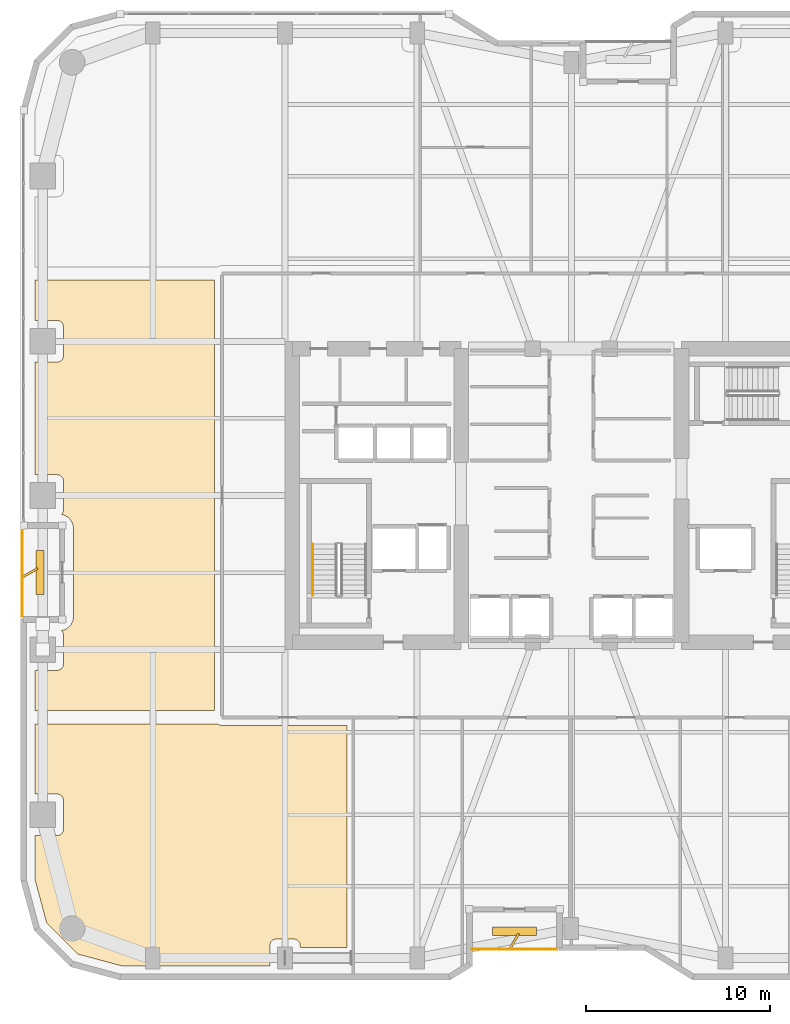
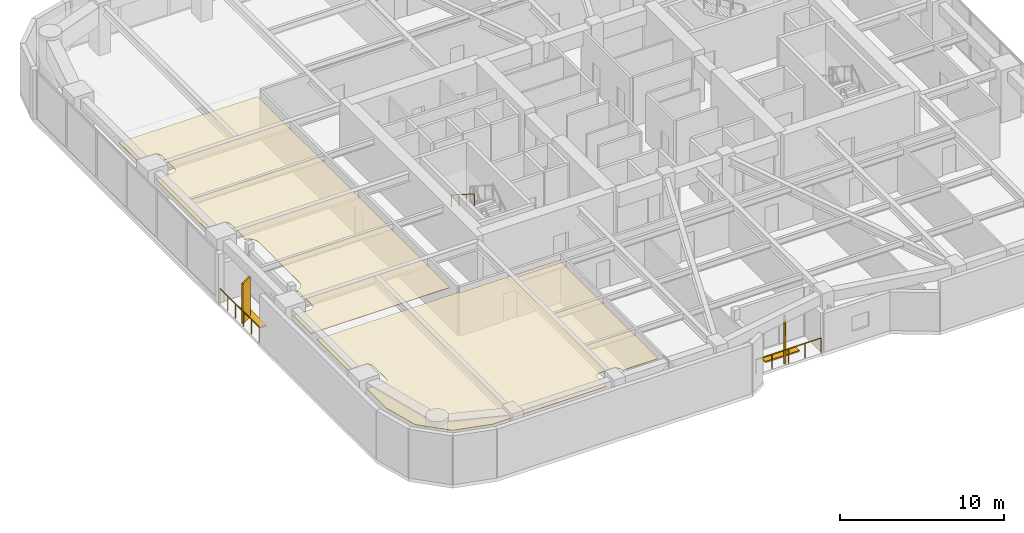
# One storey, part 22 of 24: 4 shading devices, 3 railings, 2 coverings.
"""IFC4 building model written with IfcOpenShell, lengths in metres."""

from ifc_helpers import new_model, si_unit, direction, frame, origin, origin_2d, place, context, subcontext, project, spatial, polyline, rectangle, outline, extrude, material, layer, layer_set, type_object, element, save


model = new_model("IFC4")

# Units and contexts
model_context = context("Model", 3, precision=1e-05, world=origin(), true_north=direction((0.0, 1.0)))
body_context = subcontext(model_context, "Body", "Model", "MODEL_VIEW")
ifc_project = project(units=[si_unit("LENGTHUNIT", "METRE"), si_unit("AREAUNIT", "SQUARE_METRE"), si_unit("VOLUMEUNIT", "CUBIC_METRE"), si_unit("PLANEANGLEUNIT", "RADIAN"), si_unit("MASSUNIT", "GRAM", prefix="KILO")], contexts=[model_context])

# Site, building, storey
site_placement = place(None, origin())
site = spatial("IfcSite", under=ifc_project, at=site_placement, CompositionType="ELEMENT")
building_placement = place(site_placement, origin())
building = spatial("IfcBuilding", under=site, at=building_placement, Name="Kiyonajd Concourse Tower", CompositionType="ELEMENT")
storey_placement = place(building_placement, frame((0.0, 0.0, 97.5)))
storey = spatial("IfcBuildingStorey", under=building, at=storey_placement, Name="L25", CompositionType="ELEMENT", Elevation=97.5)

# Coverings
ifc_material_1 = material(Name="Natural Oak Acoustic Timber Veneer", Category="wood")
ifc_layer = layer(ifc_material_1, 0.0400390625)
ifc_layer_set = layer_set([ifc_layer], Name="Natural Oak Acoustic Timber Veneer")
covering_type = type_object("IfcCoveringType", Name="CV-CLG-ACST", PredefinedType="CEILING", material=ifc_layer_set)
covering_1_placement = place(storey_placement, frame((0.0, 0.0, 3.4599609375)))
element("IfcCovering", 1, at=covering_1_placement, inside=storey, type_object=covering_type, Name="L25-43 Room Acoustic Ceiling", PredefinedType="CEILING", context=body_context, shape_type="SweptSolid", body=[
    extrude(outline(polyline([(19.4140625, 12.697998046875), (18.77001953125, 15.10107421875), (18.77001953125, 17.469970703125), (20.013916015625, 17.471923828125), (20.08203125, 17.485107421875), (20.14501953125, 17.510986328125), (20.201904296875, 17.549072265625), (20.2509765625, 17.597900390625), (20.2890625, 17.655029296875), (20.31494140625, 17.718017578125), (20.330078125, 17.820068359375), (20.327880859375, 19.4140625), (20.31494140625, 19.48193359375), (20.2890625, 19.544921875), (20.22705078125, 19.626953125), (20.14501953125, 19.68896484375), (20.048095703125, 19.722900390625), (19.97998046875, 19.72998046875), (18.77001953125, 19.72998046875), (18.77001953125, 23.550048828125), (28.72705078125, 23.550048828125), (28.781982421875, 23.51611328125), (28.844970703125, 23.489990234375), (28.97509765625, 23.469970703125), (35.77001953125, 23.469970703125), (35.77001953125, 11.3701171875), (33.22998046875, 11.3701171875), (33.222900390625, 11.548095703125), (33.18896484375, 11.64501953125), (33.15087890625, 11.701904296875), (33.10205078125, 11.7509765625), (33.044921875, 11.7890625), (32.98193359375, 11.81494140625), (32.8798828125, 11.830078125), (31.885986328125, 11.827880859375), (31.785888671875, 11.802978515625), (31.697998046875, 11.7509765625), (31.64892578125, 11.701904296875), (31.611083984375, 11.64501953125), (31.576904296875, 11.548095703125), (31.570068359375, 11.47998046875), (31.570068359375, 10.3701171875), (23.5009765625, 10.3701171875), (21.097900390625, 11.013916015625), (19.4140625, 12.697998046875)])), origin(), (0.0, 0.0, 1.0), 0.0400390625),
])
covering_2_placement = place(storey_placement, frame((0.0, 0.0, 3.4599609375)))
element("IfcCovering", 2, at=covering_2_placement, inside=storey, type_object=covering_type, Name="L25-55 Room Acoustic Ceiling", PredefinedType="CEILING", context=body_context, shape_type="SweptSolid", body=[
    extrude(outline(polyline([(20.215087890625, 28.638916015625), (20.340087890625, 28.6689453125), (20.450927734375, 28.715087890625), (20.580078125, 28.798095703125), (20.656982421875, 28.867919921875), (20.73193359375, 28.9609375), (20.80810546875, 29.095947265625), (20.842041015625, 29.193115234375), (20.864013671875, 29.30810546875), (20.8701171875, 34.199951171875), (20.860107421875, 34.31591796875), (20.8310546875, 34.43994140625), (20.7958984375, 34.528076171875), (20.73193359375, 34.638916015625), (20.632080078125, 34.757080078125), (20.5390625, 34.83203125), (20.404052734375, 34.907958984375), (20.306884765625, 34.94189453125), (20.215087890625, 34.9609375), (20.27099609375, 35.02587890625), (20.302978515625, 35.0859375), (20.322998046875, 35.152099609375), (20.330078125, 35.219970703125), (20.330078125, 36.780029296875), (20.31494140625, 36.882080078125), (20.2890625, 36.945068359375), (20.2509765625, 37.001953125), (20.201904296875, 37.051025390625), (20.14501953125, 37.089111328125), (20.08203125, 37.114990234375), (20.013916015625, 37.1279296875), (18.77001953125, 37.1298828125), (18.77001953125, 43.27001953125), (20.013916015625, 43.27197265625), (20.08203125, 43.284912109375), (20.14501953125, 43.31103515625), (20.201904296875, 43.34912109375), (20.2509765625, 43.39794921875), (20.2890625, 43.455078125), (20.31494140625, 43.51806640625), (20.330078125, 43.6201171875), (20.327880859375, 45.214111328125), (20.302978515625, 45.31396484375), (20.2509765625, 45.402099609375), (20.201904296875, 45.450927734375), (20.14501953125, 45.489013671875), (20.048095703125, 45.52294921875), (19.97998046875, 45.530029296875), (18.77001953125, 45.530029296875), (18.77001953125, 47.72998046875), (28.544921875, 47.72998046875), (28.544921875, 24.27001953125), (18.77001953125, 24.27001953125), (18.77001953125, 26.469970703125), (19.97998046875, 26.469970703125), (20.048095703125, 26.47705078125), (20.14501953125, 26.510986328125), (20.201904296875, 26.549072265625), (20.27099609375, 26.6259765625), (20.31494140625, 26.718017578125), (20.330078125, 26.820068359375), (20.327880859375, 28.4140625), (20.31494140625, 28.48193359375), (20.2890625, 28.544921875), (20.2509765625, 28.60205078125), (20.215087890625, 28.638916015625)])), origin(), (0.0, 0.0, 1.0), 0.0400390625),
])

# Railings
ifc_material_2 = material(Name="Thermally Broken Anodised Aluminium", Category="aluminium")
railing_type_1 = type_object("IfcRailingType", Name="RL-GRD-LOG", PredefinedType="GUARDRAIL", material=ifc_material_2)
railing_1_placement = place(storey_placement, frame((42.60009765625, 11.280029296875, 0.0)))
element("IfcRailing", 3, at=railing_1_placement, inside=storey, type_object=railing_type_1, Name="L25 Engawa Loggia Perimeter Guard LOG-S", PredefinedType="GUARDRAIL", context=body_context, shape_type="SweptSolid", body=[
    extrude(rectangle(XDim=0.048095703125, YDim=0.048095703125, at=origin_2d()), frame((0.0, 0.0, 1.076171875), z_axis=(1.0, 0.0, 0.0), x_axis=(0.0, 1.0, 0.0)), (0.0, 0.0, 1.0), 4.599853515625),
    extrude(rectangle(XDim=0.0419921875, YDim=0.0419921875, at=origin_2d()), origin(), (0.0, 0.0, 1.0), 1.052001953125),
    extrude(rectangle(XDim=0.0419921875, YDim=0.0419921875, at=origin_2d()), frame((1.14990234375, 0.0, 0.0)), (0.0, 0.0, 1.0), 1.052001953125),
    extrude(rectangle(XDim=0.0419921875, YDim=0.0419921875, at=origin_2d()), frame((2.2998046875, 0.0, 0.0)), (0.0, 0.0, 1.0), 1.052001953125),
    extrude(rectangle(XDim=0.0419921875, YDim=0.0419921875, at=origin_2d()), frame((3.449951171875, 0.0, 0.0)), (0.0, 0.0, 1.0), 1.052001953125),
    extrude(rectangle(XDim=0.0419921875, YDim=0.0419921875, at=origin_2d()), frame((4.599853515625, 0.0, 0.0)), (0.0, 0.0, 1.0), 1.052001953125),
])
railing_2_placement = place(storey_placement, frame((18.080078125, 34.199951171875, 0.0)))
element("IfcRailing", 4, at=railing_2_placement, inside=storey, type_object=railing_type_1, Name="L25 Engawa Loggia Perimeter Guard LOG-W", PredefinedType="GUARDRAIL", context=body_context, shape_type="SweptSolid", body=[
    extrude(rectangle(XDim=0.048095703125, YDim=0.048095703125, at=origin_2d()), frame((0.0, 0.0, 1.076171875), z_axis=(0.0, -1.0, 0.0), x_axis=(1.0, 0.0, 0.0)), (0.0, 0.0, 1.0), 4.800048828125),
    extrude(rectangle(XDim=0.0419921875, YDim=0.0419921875, at=origin_2d()), origin(), (0.0, 0.0, 1.0), 1.052001953125),
    extrude(rectangle(XDim=0.0419921875, YDim=0.0419921875, at=origin_2d()), frame((0.0, -0.9599609375, 0.0)), (0.0, 0.0, 1.0), 1.052001953125),
    extrude(rectangle(XDim=0.0419921875, YDim=0.0419921875, at=origin_2d()), frame((0.0, -1.919921875, 0.0)), (0.0, 0.0, 1.0), 1.052001953125),
    extrude(rectangle(XDim=0.0419921875, YDim=0.0419921875, at=origin_2d()), frame((0.0, -2.880126953125, 0.0)), (0.0, 0.0, 1.0), 1.052001953125),
    extrude(rectangle(XDim=0.0419921875, YDim=0.0419921875, at=origin_2d()), frame((0.0, -3.840087890625, 0.0)), (0.0, 0.0, 1.0), 1.052001953125),
    extrude(rectangle(XDim=0.0419921875, YDim=0.0419921875, at=origin_2d()), frame((0.0, -4.800048828125, 0.0)), (0.0, 0.0, 1.0), 1.052001953125),
])
ifc_material_3 = material(Name="Brushed Stainless Steel Cab Assembly", Category="steel")
railing_type_2 = type_object("IfcRailingType", Name="RL-HND-900", PredefinedType="HANDRAIL", material=ifc_material_3)
railing_3_placement = place(storey_placement, frame((33.89990234375, 33.35009765625, 2.127197265625)))
element("IfcRailing", 5, at=railing_3_placement, inside=storey, type_object=railing_type_2, Name="L25 ST1 stair handrail 2", PredefinedType="HANDRAIL", context=body_context, shape_type="SweptSolid", body=[
    extrude(rectangle(XDim=0.048095703125, YDim=0.048095703125, at=origin_2d()), frame((0.0, 0.0, 0.8759765625), z_axis=(0.0, -0.844908973607, 0.534910110503), x_axis=(1.0, 0.0, 0.0)), (0.0, 0.0, 1.0), 3.31396484375),
    extrude(rectangle(XDim=0.0419921875, YDim=0.0419921875, at=origin_2d()), origin(), (0.0, 0.0, 1.0), 0.851806640625),
    extrude(rectangle(XDim=0.0419921875, YDim=0.0419921875, at=origin_2d()), frame((0.0, -0.933349609375, 0.5908203125)), (0.0, 0.0, 1.0), 0.851806640625),
    extrude(rectangle(XDim=0.0419921875, YDim=0.0419921875, at=origin_2d()), frame((0.0, -1.86669921875, 1.181884765625)), (0.0, 0.0, 1.0), 0.851806640625),
    extrude(rectangle(XDim=0.0419921875, YDim=0.0419921875, at=origin_2d()), frame((0.0, -2.800048828125, 1.772705078125)), (0.0, 0.0, 1.0), 0.851806640625),
])

# Shading devices
ifc_material_4 = material(Name="Precast concrete C50/60", Category="concrete")
shading_device_type_1 = type_object("IfcShadingDeviceType", Name="SH-FIN-900", PredefinedType="USERDEFINED", material=ifc_material_4)
for number, where, z_axis, x_axis, name in (
    (6, (44.89990234375, 11.72998046875, 0.0), (0.0, 0.0, 1.0), (0.5, 0.866025403784, 0.0), "L25 Angled Koshi Solar Fin LOG-S"),
    (7, (18.530029296875, 31.800048828125, 0.0), (0.0, 0.0, 1.0), (0.866025403784, 0.5, 0.0), "L25 Angled Koshi Solar Fin LOG-W"),
):
    element("IfcShadingDevice", number, at=place(storey_placement, frame(where, z_axis=z_axis, x_axis=x_axis)), inside=storey, type_object=shading_device_type_1, Name=name, ObjectType="FIN", PredefinedType="USERDEFINED", context=body_context, shape_type="SweptSolid", body=[
        extrude(rectangle(XDim=0.89990234375, YDim=0.1201171875, at=origin_2d()), origin(), (0.0, 0.0, 1.0), 3.0),
    ])
shading_device_type_2 = type_object("IfcShadingDeviceType", Name="SH-LVR-600", PredefinedType="JALOUSIE", material=ifc_material_2)
for number, where, z_axis, x_axis, name in (
    (8, (44.89990234375, 12.25, 0.0), (0.0, 0.0, 1.0), (1.0, 0.0, 0.0), "L25 Loggia Threshold Louver LOG-S"),
    (9, (19.050048828125, 31.800048828125, 0.0), (0.0, 0.0, 1.0), (0.0, 1.0, 0.0), "L25 Loggia Threshold Louver LOG-W"),
):
    element("IfcShadingDevice", number, at=place(storey_placement, frame(where, z_axis=z_axis, x_axis=x_axis)), inside=storey, type_object=shading_device_type_2, Name=name, PredefinedType="JALOUSIE", context=body_context, shape_type="SweptSolid", body=[
        extrude(rectangle(XDim=2.39990234375, YDim=0.449951171875, at=origin_2d()), origin(), (0.0, 0.0, 1.0), 0.10009765625),
    ])

save(model, "model.ifc")
